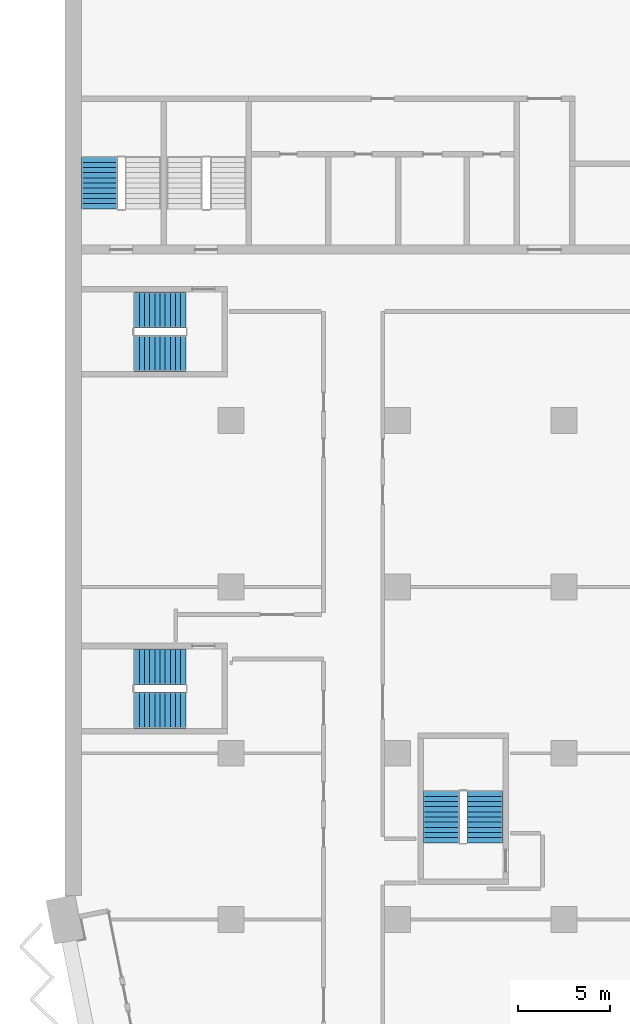
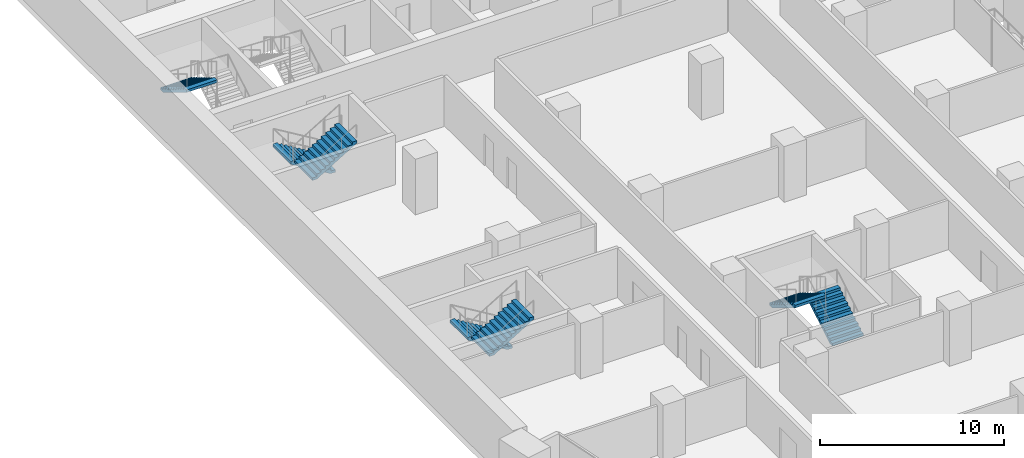
# One storey, part 19 of 28: 7 stair flights, 4 elements without a shape of their own.
"""IFC4 building model written with IfcOpenShell, lengths in metres."""

from ifc_helpers import new_model, si_unit, direction, frame, origin, place, context, subcontext, project, spatial, polyline, outline, extrude, material, type_object, element, aggregate, save


model = new_model("IFC4")

# Units and contexts
model_context = context("Model", 3, precision=1e-05, world=origin(), true_north=direction((0.0, 1.0)))
body_context = subcontext(model_context, "Body", "Model", "MODEL_VIEW")
ifc_project = project(units=[si_unit("LENGTHUNIT", "METRE"), si_unit("AREAUNIT", "SQUARE_METRE"), si_unit("VOLUMEUNIT", "CUBIC_METRE"), si_unit("PLANEANGLEUNIT", "RADIAN"), si_unit("MASSUNIT", "GRAM", prefix="KILO")], contexts=[model_context])

# Site, building, storey
site_placement = place(None, origin())
site = spatial("IfcSite", under=ifc_project, at=site_placement, CompositionType="ELEMENT")
building_placement = place(site_placement, origin())
building = spatial("IfcBuilding", under=site, at=building_placement, Name="Hunhe Ridgeline Campus", CompositionType="ELEMENT")
storey_placement = place(building_placement, frame((0.0, 0.0, 39.5)))
storey = spatial("IfcBuildingStorey", under=building, at=storey_placement, Name="L08", CompositionType="ELEMENT", Elevation=39.5)

# Stair, stair flight
ifc_material = material(Name="Concrete C40", Category="concrete")
stair_type = type_object("IfcStairType", Name="Reinforced concrete dog-leg stair 1950 Concrete C40", PredefinedType="HALF_TURN_STAIR", material=ifc_material)
stair_1_placement = place(storey_placement, origin())
stair_1 = element("IfcStair", 1, at=stair_1_placement, inside=storey, type_object=stair_type, Name="L08 S3", PredefinedType="HALF_TURN_STAIR")
stair_flight_type = type_object("IfcStairFlightType", Name="Reinforced concrete stair flight 1950 Concrete C40", PredefinedType="STRAIGHT", material=ifc_material)
stair_flight_1_placement = place(storey_placement, frame((1.875, 68.25, 1.85009765625), z_axis=(0.0, 0.0, 1.0), x_axis=(0.0, -1.0, 0.0)))
stair_flight_1 = element("IfcStairFlight", 2, at=stair_flight_1_placement, type_object=stair_flight_type, Name="ST3 flight 2", NumberOfRisers=11, NumberOfTreads=10, PredefinedType="STRAIGHT", RiserHeight=0.168181818, TreadLength=0.28, context=body_context, shape_type="SweptSolid", body=[
    extrude(outline(polyline([(0.0, 0.0), (0.0, 0.168212890625), (0.280029296875, 0.168212890625), (0.280029296875, 0.33642578125), (0.56005859375, 0.33642578125), (0.56005859375, 0.504638671875), (0.840087890625, 0.504638671875), (0.840087890625, 0.672607421875), (1.1201171875, 0.672607421875), (1.1201171875, 0.8408203125), (1.39990234375, 0.8408203125), (1.39990234375, 1.009033203125), (1.679931640625, 1.009033203125), (1.679931640625, 1.17724609375), (1.9599609375, 1.17724609375), (1.9599609375, 1.345458984375), (2.239990234375, 1.345458984375), (2.239990234375, 1.513671875), (2.52001953125, 1.513671875), (2.52001953125, 1.681884765625), (2.800048828125, 1.681884765625), (2.800048828125, 1.85009765625), (2.800048828125, 1.5068359375), (0.291015625, 0.0), (0.0, 0.0)])), frame((0.0, 0.97509765625, 0.0), z_axis=(0.0, -1.0, 0.0), x_axis=(1.0, 0.0, 0.0)), (0.0, 0.0, 1.0), 1.949951171875),
    extrude(outline(polyline([(0.030029296875, 0.030029296875), (0.030029296875, 0.13818359375), (0.31005859375, 0.13818359375), (0.31005859375, 0.306396484375), (0.590087890625, 0.306396484375), (0.590087890625, 0.474609375), (0.8701171875, 0.474609375), (0.8701171875, 0.642578125), (1.14990234375, 0.642578125), (1.14990234375, 0.810791015625), (1.429931640625, 0.810791015625), (1.429931640625, 0.97900390625), (1.7099609375, 0.97900390625), (1.7099609375, 1.147216796875), (1.989990234375, 1.147216796875), (1.989990234375, 1.3154296875), (2.27001953125, 1.3154296875), (2.27001953125, 1.483642578125), (2.550048828125, 1.483642578125), (2.550048828125, 1.65185546875), (2.77001953125, 1.65185546875), (2.77001953125, 1.52392578125), (0.28271484375, 0.030029296875), (0.030029296875, 0.030029296875)])), frame((0.0, -0.070068359375, 0.0), z_axis=(0.0, -1.0, 0.0), x_axis=(1.0, 0.0, 0.0)), (0.0, 0.0, 1.0), 0.019775390625),
    extrude(outline(polyline([(0.030029296875, 0.030029296875), (0.030029296875, 0.13818359375), (0.31005859375, 0.13818359375), (0.31005859375, 0.306396484375), (0.590087890625, 0.306396484375), (0.590087890625, 0.474609375), (0.8701171875, 0.474609375), (0.8701171875, 0.642578125), (1.14990234375, 0.642578125), (1.14990234375, 0.810791015625), (1.429931640625, 0.810791015625), (1.429931640625, 0.97900390625), (1.7099609375, 0.97900390625), (1.7099609375, 1.147216796875), (1.989990234375, 1.147216796875), (1.989990234375, 1.3154296875), (2.27001953125, 1.3154296875), (2.27001953125, 1.483642578125), (2.550048828125, 1.483642578125), (2.550048828125, 1.65185546875), (2.77001953125, 1.65185546875), (2.77001953125, 1.52392578125), (0.28271484375, 0.030029296875), (0.030029296875, 0.030029296875)])), frame((0.0, 0.010009765625, 0.0), z_axis=(0.0, -1.0, 0.0), x_axis=(1.0, 0.0, 0.0)), (0.0, 0.0, 1.0), 0.019775390625),
    extrude(outline(polyline([(0.030029296875, 0.030029296875), (0.030029296875, 0.13818359375), (0.31005859375, 0.13818359375), (0.31005859375, 0.306396484375), (0.590087890625, 0.306396484375), (0.590087890625, 0.474609375), (0.8701171875, 0.474609375), (0.8701171875, 0.642578125), (1.14990234375, 0.642578125), (1.14990234375, 0.810791015625), (1.429931640625, 0.810791015625), (1.429931640625, 0.97900390625), (1.7099609375, 0.97900390625), (1.7099609375, 1.147216796875), (1.989990234375, 1.147216796875), (1.989990234375, 1.3154296875), (2.27001953125, 1.3154296875), (2.27001953125, 1.483642578125), (2.550048828125, 1.483642578125), (2.550048828125, 1.65185546875), (2.77001953125, 1.65185546875), (2.77001953125, 1.52392578125), (0.28271484375, 0.030029296875), (0.030029296875, 0.030029296875)])), frame((0.0, 0.090087890625, 0.0), z_axis=(0.0, -1.0, 0.0), x_axis=(1.0, 0.0, 0.0)), (0.0, 0.0, 1.0), 0.019775390625),
])
aggregate(stair_1, [stair_flight_1])

# Stair, stair flights
stair_2_placement = place(storey_placement, origin())
stair_2 = element("IfcStair", 3, at=stair_2_placement, inside=storey, type_object=stair_type, Name="L08 W3", PredefinedType="HALF_TURN_STAIR")
stair_flight_2_placement = place(storey_placement, frame((22.72509765625, 31.14990234375, 0.0), z_axis=(0.0, 0.0, 1.0), x_axis=(0.0, 1.0, 0.0)))
stair_flight_2 = element("IfcStairFlight", 4, at=stair_flight_2_placement, type_object=stair_flight_type, Name="ST9 flight 1", NumberOfRisers=11, NumberOfTreads=10, PredefinedType="STRAIGHT", RiserHeight=0.168181818, TreadLength=0.28, context=body_context, shape_type="SweptSolid", body=[
    extrude(outline(polyline([(0.0, 0.0), (0.0, 0.168212890625), (0.280029296875, 0.168212890625), (0.280029296875, 0.33642578125), (0.56005859375, 0.33642578125), (0.56005859375, 0.504638671875), (0.840087890625, 0.504638671875), (0.840087890625, 0.672607421875), (1.1201171875, 0.672607421875), (1.1201171875, 0.8408203125), (1.39990234375, 0.8408203125), (1.39990234375, 1.009033203125), (1.679931640625, 1.009033203125), (1.679931640625, 1.17724609375), (1.9599609375, 1.17724609375), (1.9599609375, 1.345458984375), (2.239990234375, 1.345458984375), (2.239990234375, 1.513671875), (2.52001953125, 1.513671875), (2.52001953125, 1.681884765625), (2.800048828125, 1.681884765625), (2.800048828125, 1.85009765625), (2.800048828125, 1.5068359375), (0.291015625, 0.0), (0.0, 0.0)])), frame((0.0, 0.97509765625, 0.0), z_axis=(0.0, -1.0, 0.0), x_axis=(1.0, 0.0, 0.0)), (0.0, 0.0, 1.0), 1.949951171875),
    extrude(outline(polyline([(0.030029296875, 0.030029296875), (0.030029296875, 0.13818359375), (0.31005859375, 0.13818359375), (0.31005859375, 0.306396484375), (0.590087890625, 0.306396484375), (0.590087890625, 0.474609375), (0.8701171875, 0.474609375), (0.8701171875, 0.642578125), (1.14990234375, 0.642578125), (1.14990234375, 0.810791015625), (1.429931640625, 0.810791015625), (1.429931640625, 0.97900390625), (1.7099609375, 0.97900390625), (1.7099609375, 1.147216796875), (1.989990234375, 1.147216796875), (1.989990234375, 1.3154296875), (2.27001953125, 1.3154296875), (2.27001953125, 1.483642578125), (2.550048828125, 1.483642578125), (2.550048828125, 1.65185546875), (2.77001953125, 1.65185546875), (2.77001953125, 1.52392578125), (0.28271484375, 0.030029296875), (0.030029296875, 0.030029296875)])), frame((0.0, -0.070068359375, 0.0), z_axis=(0.0, -1.0, 0.0), x_axis=(1.0, 0.0, 0.0)), (0.0, 0.0, 1.0), 0.019775390625),
    extrude(outline(polyline([(0.030029296875, 0.030029296875), (0.030029296875, 0.13818359375), (0.31005859375, 0.13818359375), (0.31005859375, 0.306396484375), (0.590087890625, 0.306396484375), (0.590087890625, 0.474609375), (0.8701171875, 0.474609375), (0.8701171875, 0.642578125), (1.14990234375, 0.642578125), (1.14990234375, 0.810791015625), (1.429931640625, 0.810791015625), (1.429931640625, 0.97900390625), (1.7099609375, 0.97900390625), (1.7099609375, 1.147216796875), (1.989990234375, 1.147216796875), (1.989990234375, 1.3154296875), (2.27001953125, 1.3154296875), (2.27001953125, 1.483642578125), (2.550048828125, 1.483642578125), (2.550048828125, 1.65185546875), (2.77001953125, 1.65185546875), (2.77001953125, 1.52392578125), (0.28271484375, 0.030029296875), (0.030029296875, 0.030029296875)])), frame((0.0, 0.010009765625, 0.0), z_axis=(0.0, -1.0, 0.0), x_axis=(1.0, 0.0, 0.0)), (0.0, 0.0, 1.0), 0.019775390625),
    extrude(outline(polyline([(0.030029296875, 0.030029296875), (0.030029296875, 0.13818359375), (0.31005859375, 0.13818359375), (0.31005859375, 0.306396484375), (0.590087890625, 0.306396484375), (0.590087890625, 0.474609375), (0.8701171875, 0.474609375), (0.8701171875, 0.642578125), (1.14990234375, 0.642578125), (1.14990234375, 0.810791015625), (1.429931640625, 0.810791015625), (1.429931640625, 0.97900390625), (1.7099609375, 0.97900390625), (1.7099609375, 1.147216796875), (1.989990234375, 1.147216796875), (1.989990234375, 1.3154296875), (2.27001953125, 1.3154296875), (2.27001953125, 1.483642578125), (2.550048828125, 1.483642578125), (2.550048828125, 1.65185546875), (2.77001953125, 1.65185546875), (2.77001953125, 1.52392578125), (0.28271484375, 0.030029296875), (0.030029296875, 0.030029296875)])), frame((0.0, 0.090087890625, 0.0), z_axis=(0.0, -1.0, 0.0), x_axis=(1.0, 0.0, 0.0)), (0.0, 0.0, 1.0), 0.019775390625),
])
stair_flight_3_placement = place(storey_placement, frame((20.375, 33.949951171875, 1.85009765625), z_axis=(0.0, 0.0, 1.0), x_axis=(0.0, -1.0, 0.0)))
stair_flight_3 = element("IfcStairFlight", 5, at=stair_flight_3_placement, type_object=stair_flight_type, Name="ST9 flight 2", NumberOfRisers=11, NumberOfTreads=10, PredefinedType="STRAIGHT", RiserHeight=0.168181818, TreadLength=0.28, context=body_context, shape_type="SweptSolid", body=[
    extrude(outline(polyline([(0.0, 0.0), (0.0, 0.168212890625), (0.280029296875, 0.168212890625), (0.280029296875, 0.33642578125), (0.56005859375, 0.33642578125), (0.56005859375, 0.504638671875), (0.840087890625, 0.504638671875), (0.840087890625, 0.672607421875), (1.1201171875, 0.672607421875), (1.1201171875, 0.8408203125), (1.39990234375, 0.8408203125), (1.39990234375, 1.009033203125), (1.679931640625, 1.009033203125), (1.679931640625, 1.17724609375), (1.9599609375, 1.17724609375), (1.9599609375, 1.345458984375), (2.239990234375, 1.345458984375), (2.239990234375, 1.513671875), (2.52001953125, 1.513671875), (2.52001953125, 1.681884765625), (2.800048828125, 1.681884765625), (2.800048828125, 1.85009765625), (2.800048828125, 1.5068359375), (0.291015625, 0.0), (0.0, 0.0)])), frame((0.0, 0.97509765625, 0.0), z_axis=(0.0, -1.0, 0.0), x_axis=(1.0, 0.0, 0.0)), (0.0, 0.0, 1.0), 1.949951171875),
    extrude(outline(polyline([(0.030029296875, 0.030029296875), (0.030029296875, 0.13818359375), (0.31005859375, 0.13818359375), (0.31005859375, 0.306396484375), (0.590087890625, 0.306396484375), (0.590087890625, 0.474609375), (0.8701171875, 0.474609375), (0.8701171875, 0.642578125), (1.14990234375, 0.642578125), (1.14990234375, 0.810791015625), (1.429931640625, 0.810791015625), (1.429931640625, 0.97900390625), (1.7099609375, 0.97900390625), (1.7099609375, 1.147216796875), (1.989990234375, 1.147216796875), (1.989990234375, 1.3154296875), (2.27001953125, 1.3154296875), (2.27001953125, 1.483642578125), (2.550048828125, 1.483642578125), (2.550048828125, 1.65185546875), (2.77001953125, 1.65185546875), (2.77001953125, 1.52392578125), (0.28271484375, 0.030029296875), (0.030029296875, 0.030029296875)])), frame((0.0, -0.070068359375, 0.0), z_axis=(0.0, -1.0, 0.0), x_axis=(1.0, 0.0, 0.0)), (0.0, 0.0, 1.0), 0.019775390625),
    extrude(outline(polyline([(0.030029296875, 0.030029296875), (0.030029296875, 0.13818359375), (0.31005859375, 0.13818359375), (0.31005859375, 0.306396484375), (0.590087890625, 0.306396484375), (0.590087890625, 0.474609375), (0.8701171875, 0.474609375), (0.8701171875, 0.642578125), (1.14990234375, 0.642578125), (1.14990234375, 0.810791015625), (1.429931640625, 0.810791015625), (1.429931640625, 0.97900390625), (1.7099609375, 0.97900390625), (1.7099609375, 1.147216796875), (1.989990234375, 1.147216796875), (1.989990234375, 1.3154296875), (2.27001953125, 1.3154296875), (2.27001953125, 1.483642578125), (2.550048828125, 1.483642578125), (2.550048828125, 1.65185546875), (2.77001953125, 1.65185546875), (2.77001953125, 1.52392578125), (0.28271484375, 0.030029296875), (0.030029296875, 0.030029296875)])), frame((0.0, 0.010009765625, 0.0), z_axis=(0.0, -1.0, 0.0), x_axis=(1.0, 0.0, 0.0)), (0.0, 0.0, 1.0), 0.019775390625),
    extrude(outline(polyline([(0.030029296875, 0.030029296875), (0.030029296875, 0.13818359375), (0.31005859375, 0.13818359375), (0.31005859375, 0.306396484375), (0.590087890625, 0.306396484375), (0.590087890625, 0.474609375), (0.8701171875, 0.474609375), (0.8701171875, 0.642578125), (1.14990234375, 0.642578125), (1.14990234375, 0.810791015625), (1.429931640625, 0.810791015625), (1.429931640625, 0.97900390625), (1.7099609375, 0.97900390625), (1.7099609375, 1.147216796875), (1.989990234375, 1.147216796875), (1.989990234375, 1.3154296875), (2.27001953125, 1.3154296875), (2.27001953125, 1.483642578125), (2.550048828125, 1.483642578125), (2.550048828125, 1.65185546875), (2.77001953125, 1.65185546875), (2.77001953125, 1.52392578125), (0.28271484375, 0.030029296875), (0.030029296875, 0.030029296875)])), frame((0.0, 0.090087890625, 0.0), z_axis=(0.0, -1.0, 0.0), x_axis=(1.0, 0.0, 0.0)), (0.0, 0.0, 1.0), 0.019775390625),
])
aggregate(stair_2, [stair_flight_2, stair_flight_3])

stair_3_placement = place(storey_placement, origin())
stair_3 = element("IfcStair", 6, at=stair_3_placement, inside=storey, type_object=stair_type, Name="L08 W1", PredefinedType="HALF_TURN_STAIR")
stair_flight_4_placement = place(storey_placement, frame((6.550048828125, 40.675048828125, 0.0), z_axis=(0.0, 0.0, 1.0), x_axis=(-1.0, 0.0, 0.0)))
stair_flight_4 = element("IfcStairFlight", 7, at=stair_flight_4_placement, type_object=stair_flight_type, Name="ST11 flight 1", NumberOfRisers=11, NumberOfTreads=10, PredefinedType="STRAIGHT", RiserHeight=0.168181818, TreadLength=0.28, context=body_context, shape_type="SweptSolid", body=[
    extrude(outline(polyline([(0.0, 0.0), (0.0, 0.168212890625), (0.280029296875, 0.168212890625), (0.280029296875, 0.33642578125), (0.56005859375, 0.33642578125), (0.56005859375, 0.504638671875), (0.840087890625, 0.504638671875), (0.840087890625, 0.672607421875), (1.1201171875, 0.672607421875), (1.1201171875, 0.8408203125), (1.39990234375, 0.8408203125), (1.39990234375, 1.009033203125), (1.679931640625, 1.009033203125), (1.679931640625, 1.17724609375), (1.9599609375, 1.17724609375), (1.9599609375, 1.345458984375), (2.239990234375, 1.345458984375), (2.239990234375, 1.513671875), (2.52001953125, 1.513671875), (2.52001953125, 1.681884765625), (2.800048828125, 1.681884765625), (2.800048828125, 1.85009765625), (2.800048828125, 1.5068359375), (0.291015625, 0.0), (0.0, 0.0)])), frame((0.0, 0.97509765625, 0.0), z_axis=(0.0, -1.0, 0.0), x_axis=(1.0, 0.0, 0.0)), (0.0, 0.0, 1.0), 1.949951171875),
    extrude(outline(polyline([(0.030029296875, 0.030029296875), (0.030029296875, 0.13818359375), (0.31005859375, 0.13818359375), (0.31005859375, 0.306396484375), (0.590087890625, 0.306396484375), (0.590087890625, 0.474609375), (0.8701171875, 0.474609375), (0.8701171875, 0.642578125), (1.14990234375, 0.642578125), (1.14990234375, 0.810791015625), (1.429931640625, 0.810791015625), (1.429931640625, 0.97900390625), (1.7099609375, 0.97900390625), (1.7099609375, 1.147216796875), (1.989990234375, 1.147216796875), (1.989990234375, 1.3154296875), (2.27001953125, 1.3154296875), (2.27001953125, 1.483642578125), (2.550048828125, 1.483642578125), (2.550048828125, 1.65185546875), (2.77001953125, 1.65185546875), (2.77001953125, 1.52392578125), (0.28271484375, 0.030029296875), (0.030029296875, 0.030029296875)])), frame((0.0, -0.070068359375, 0.0), z_axis=(0.0, -1.0, 0.0), x_axis=(1.0, 0.0, 0.0)), (0.0, 0.0, 1.0), 0.019775390625),
    extrude(outline(polyline([(0.030029296875, 0.030029296875), (0.030029296875, 0.13818359375), (0.31005859375, 0.13818359375), (0.31005859375, 0.306396484375), (0.590087890625, 0.306396484375), (0.590087890625, 0.474609375), (0.8701171875, 0.474609375), (0.8701171875, 0.642578125), (1.14990234375, 0.642578125), (1.14990234375, 0.810791015625), (1.429931640625, 0.810791015625), (1.429931640625, 0.97900390625), (1.7099609375, 0.97900390625), (1.7099609375, 1.147216796875), (1.989990234375, 1.147216796875), (1.989990234375, 1.3154296875), (2.27001953125, 1.3154296875), (2.27001953125, 1.483642578125), (2.550048828125, 1.483642578125), (2.550048828125, 1.65185546875), (2.77001953125, 1.65185546875), (2.77001953125, 1.52392578125), (0.28271484375, 0.030029296875), (0.030029296875, 0.030029296875)])), frame((0.0, 0.010009765625, 0.0), z_axis=(0.0, -1.0, 0.0), x_axis=(1.0, 0.0, 0.0)), (0.0, 0.0, 1.0), 0.019775390625),
    extrude(outline(polyline([(0.030029296875, 0.030029296875), (0.030029296875, 0.13818359375), (0.31005859375, 0.13818359375), (0.31005859375, 0.306396484375), (0.590087890625, 0.306396484375), (0.590087890625, 0.474609375), (0.8701171875, 0.474609375), (0.8701171875, 0.642578125), (1.14990234375, 0.642578125), (1.14990234375, 0.810791015625), (1.429931640625, 0.810791015625), (1.429931640625, 0.97900390625), (1.7099609375, 0.97900390625), (1.7099609375, 1.147216796875), (1.989990234375, 1.147216796875), (1.989990234375, 1.3154296875), (2.27001953125, 1.3154296875), (2.27001953125, 1.483642578125), (2.550048828125, 1.483642578125), (2.550048828125, 1.65185546875), (2.77001953125, 1.65185546875), (2.77001953125, 1.52392578125), (0.28271484375, 0.030029296875), (0.030029296875, 0.030029296875)])), frame((0.0, 0.090087890625, 0.0), z_axis=(0.0, -1.0, 0.0), x_axis=(1.0, 0.0, 0.0)), (0.0, 0.0, 1.0), 0.019775390625),
])
stair_flight_5_placement = place(storey_placement, frame((3.75, 38.324951171875, 1.85009765625), z_axis=(0.0, 0.0, 1.0), x_axis=(1.0, 0.0, 0.0)))
stair_flight_5 = element("IfcStairFlight", 8, at=stair_flight_5_placement, type_object=stair_flight_type, Name="ST11 flight 2", NumberOfRisers=11, NumberOfTreads=10, PredefinedType="STRAIGHT", RiserHeight=0.168181818, TreadLength=0.28, context=body_context, shape_type="SweptSolid", body=[
    extrude(outline(polyline([(0.0, 0.0), (0.0, 0.168212890625), (0.280029296875, 0.168212890625), (0.280029296875, 0.33642578125), (0.56005859375, 0.33642578125), (0.56005859375, 0.504638671875), (0.840087890625, 0.504638671875), (0.840087890625, 0.672607421875), (1.1201171875, 0.672607421875), (1.1201171875, 0.8408203125), (1.39990234375, 0.8408203125), (1.39990234375, 1.009033203125), (1.679931640625, 1.009033203125), (1.679931640625, 1.17724609375), (1.9599609375, 1.17724609375), (1.9599609375, 1.345458984375), (2.239990234375, 1.345458984375), (2.239990234375, 1.513671875), (2.52001953125, 1.513671875), (2.52001953125, 1.681884765625), (2.800048828125, 1.681884765625), (2.800048828125, 1.85009765625), (2.800048828125, 1.5068359375), (0.291015625, 0.0), (0.0, 0.0)])), frame((0.0, 0.97509765625, 0.0), z_axis=(0.0, -1.0, 0.0), x_axis=(1.0, 0.0, 0.0)), (0.0, 0.0, 1.0), 1.949951171875),
    extrude(outline(polyline([(0.030029296875, 0.030029296875), (0.030029296875, 0.13818359375), (0.31005859375, 0.13818359375), (0.31005859375, 0.306396484375), (0.590087890625, 0.306396484375), (0.590087890625, 0.474609375), (0.8701171875, 0.474609375), (0.8701171875, 0.642578125), (1.14990234375, 0.642578125), (1.14990234375, 0.810791015625), (1.429931640625, 0.810791015625), (1.429931640625, 0.97900390625), (1.7099609375, 0.97900390625), (1.7099609375, 1.147216796875), (1.989990234375, 1.147216796875), (1.989990234375, 1.3154296875), (2.27001953125, 1.3154296875), (2.27001953125, 1.483642578125), (2.550048828125, 1.483642578125), (2.550048828125, 1.65185546875), (2.77001953125, 1.65185546875), (2.77001953125, 1.52392578125), (0.28271484375, 0.030029296875), (0.030029296875, 0.030029296875)])), frame((0.0, -0.070068359375, 0.0), z_axis=(0.0, -1.0, 0.0), x_axis=(1.0, 0.0, 0.0)), (0.0, 0.0, 1.0), 0.019775390625),
    extrude(outline(polyline([(0.030029296875, 0.030029296875), (0.030029296875, 0.13818359375), (0.31005859375, 0.13818359375), (0.31005859375, 0.306396484375), (0.590087890625, 0.306396484375), (0.590087890625, 0.474609375), (0.8701171875, 0.474609375), (0.8701171875, 0.642578125), (1.14990234375, 0.642578125), (1.14990234375, 0.810791015625), (1.429931640625, 0.810791015625), (1.429931640625, 0.97900390625), (1.7099609375, 0.97900390625), (1.7099609375, 1.147216796875), (1.989990234375, 1.147216796875), (1.989990234375, 1.3154296875), (2.27001953125, 1.3154296875), (2.27001953125, 1.483642578125), (2.550048828125, 1.483642578125), (2.550048828125, 1.65185546875), (2.77001953125, 1.65185546875), (2.77001953125, 1.52392578125), (0.28271484375, 0.030029296875), (0.030029296875, 0.030029296875)])), frame((0.0, 0.010009765625, 0.0), z_axis=(0.0, -1.0, 0.0), x_axis=(1.0, 0.0, 0.0)), (0.0, 0.0, 1.0), 0.019775390625),
    extrude(outline(polyline([(0.030029296875, 0.030029296875), (0.030029296875, 0.13818359375), (0.31005859375, 0.13818359375), (0.31005859375, 0.306396484375), (0.590087890625, 0.306396484375), (0.590087890625, 0.474609375), (0.8701171875, 0.474609375), (0.8701171875, 0.642578125), (1.14990234375, 0.642578125), (1.14990234375, 0.810791015625), (1.429931640625, 0.810791015625), (1.429931640625, 0.97900390625), (1.7099609375, 0.97900390625), (1.7099609375, 1.147216796875), (1.989990234375, 1.147216796875), (1.989990234375, 1.3154296875), (2.27001953125, 1.3154296875), (2.27001953125, 1.483642578125), (2.550048828125, 1.483642578125), (2.550048828125, 1.65185546875), (2.77001953125, 1.65185546875), (2.77001953125, 1.52392578125), (0.28271484375, 0.030029296875), (0.030029296875, 0.030029296875)])), frame((0.0, 0.090087890625, 0.0), z_axis=(0.0, -1.0, 0.0), x_axis=(1.0, 0.0, 0.0)), (0.0, 0.0, 1.0), 0.019775390625),
])
aggregate(stair_3, [stair_flight_4, stair_flight_5])

stair_4_placement = place(storey_placement, origin())
stair_4 = element("IfcStair", 9, at=stair_4_placement, inside=storey, type_object=stair_type, Name="L08 W2", PredefinedType="HALF_TURN_STAIR")
stair_flight_6_placement = place(storey_placement, frame((6.550048828125, 59.97509765625, 0.0), z_axis=(0.0, 0.0, 1.0), x_axis=(-1.0, 0.0, 0.0)))
stair_flight_6 = element("IfcStairFlight", 10, at=stair_flight_6_placement, type_object=stair_flight_type, Name="ST12 flight 1", NumberOfRisers=11, NumberOfTreads=10, PredefinedType="STRAIGHT", RiserHeight=0.168181818, TreadLength=0.28, context=body_context, shape_type="SweptSolid", body=[
    extrude(outline(polyline([(0.0, 0.0), (0.0, 0.168212890625), (0.280029296875, 0.168212890625), (0.280029296875, 0.33642578125), (0.56005859375, 0.33642578125), (0.56005859375, 0.504638671875), (0.840087890625, 0.504638671875), (0.840087890625, 0.672607421875), (1.1201171875, 0.672607421875), (1.1201171875, 0.8408203125), (1.39990234375, 0.8408203125), (1.39990234375, 1.009033203125), (1.679931640625, 1.009033203125), (1.679931640625, 1.17724609375), (1.9599609375, 1.17724609375), (1.9599609375, 1.345458984375), (2.239990234375, 1.345458984375), (2.239990234375, 1.513671875), (2.52001953125, 1.513671875), (2.52001953125, 1.681884765625), (2.800048828125, 1.681884765625), (2.800048828125, 1.85009765625), (2.800048828125, 1.5068359375), (0.291015625, 0.0), (0.0, 0.0)])), frame((0.0, 0.97509765625, 0.0), z_axis=(0.0, -1.0, 0.0), x_axis=(1.0, 0.0, 0.0)), (0.0, 0.0, 1.0), 1.949951171875),
    extrude(outline(polyline([(0.030029296875, 0.030029296875), (0.030029296875, 0.13818359375), (0.31005859375, 0.13818359375), (0.31005859375, 0.306396484375), (0.590087890625, 0.306396484375), (0.590087890625, 0.474609375), (0.8701171875, 0.474609375), (0.8701171875, 0.642578125), (1.14990234375, 0.642578125), (1.14990234375, 0.810791015625), (1.429931640625, 0.810791015625), (1.429931640625, 0.97900390625), (1.7099609375, 0.97900390625), (1.7099609375, 1.147216796875), (1.989990234375, 1.147216796875), (1.989990234375, 1.3154296875), (2.27001953125, 1.3154296875), (2.27001953125, 1.483642578125), (2.550048828125, 1.483642578125), (2.550048828125, 1.65185546875), (2.77001953125, 1.65185546875), (2.77001953125, 1.52392578125), (0.28271484375, 0.030029296875), (0.030029296875, 0.030029296875)])), frame((0.0, -0.070068359375, 0.0), z_axis=(0.0, -1.0, 0.0), x_axis=(1.0, 0.0, 0.0)), (0.0, 0.0, 1.0), 0.019775390625),
    extrude(outline(polyline([(0.030029296875, 0.030029296875), (0.030029296875, 0.13818359375), (0.31005859375, 0.13818359375), (0.31005859375, 0.306396484375), (0.590087890625, 0.306396484375), (0.590087890625, 0.474609375), (0.8701171875, 0.474609375), (0.8701171875, 0.642578125), (1.14990234375, 0.642578125), (1.14990234375, 0.810791015625), (1.429931640625, 0.810791015625), (1.429931640625, 0.97900390625), (1.7099609375, 0.97900390625), (1.7099609375, 1.147216796875), (1.989990234375, 1.147216796875), (1.989990234375, 1.3154296875), (2.27001953125, 1.3154296875), (2.27001953125, 1.483642578125), (2.550048828125, 1.483642578125), (2.550048828125, 1.65185546875), (2.77001953125, 1.65185546875), (2.77001953125, 1.52392578125), (0.28271484375, 0.030029296875), (0.030029296875, 0.030029296875)])), frame((0.0, 0.010009765625, 0.0), z_axis=(0.0, -1.0, 0.0), x_axis=(1.0, 0.0, 0.0)), (0.0, 0.0, 1.0), 0.019775390625),
    extrude(outline(polyline([(0.030029296875, 0.030029296875), (0.030029296875, 0.13818359375), (0.31005859375, 0.13818359375), (0.31005859375, 0.306396484375), (0.590087890625, 0.306396484375), (0.590087890625, 0.474609375), (0.8701171875, 0.474609375), (0.8701171875, 0.642578125), (1.14990234375, 0.642578125), (1.14990234375, 0.810791015625), (1.429931640625, 0.810791015625), (1.429931640625, 0.97900390625), (1.7099609375, 0.97900390625), (1.7099609375, 1.147216796875), (1.989990234375, 1.147216796875), (1.989990234375, 1.3154296875), (2.27001953125, 1.3154296875), (2.27001953125, 1.483642578125), (2.550048828125, 1.483642578125), (2.550048828125, 1.65185546875), (2.77001953125, 1.65185546875), (2.77001953125, 1.52392578125), (0.28271484375, 0.030029296875), (0.030029296875, 0.030029296875)])), frame((0.0, 0.090087890625, 0.0), z_axis=(0.0, -1.0, 0.0), x_axis=(1.0, 0.0, 0.0)), (0.0, 0.0, 1.0), 0.019775390625),
])
stair_flight_7_placement = place(storey_placement, frame((3.75, 57.625, 1.85009765625), z_axis=(0.0, 0.0, 1.0), x_axis=(1.0, 0.0, 0.0)))
stair_flight_7 = element("IfcStairFlight", 11, at=stair_flight_7_placement, type_object=stair_flight_type, Name="ST12 flight 2", NumberOfRisers=11, NumberOfTreads=10, PredefinedType="STRAIGHT", RiserHeight=0.168181818, TreadLength=0.28, context=body_context, shape_type="SweptSolid", body=[
    extrude(outline(polyline([(0.0, 0.0), (0.0, 0.168212890625), (0.280029296875, 0.168212890625), (0.280029296875, 0.33642578125), (0.56005859375, 0.33642578125), (0.56005859375, 0.504638671875), (0.840087890625, 0.504638671875), (0.840087890625, 0.672607421875), (1.1201171875, 0.672607421875), (1.1201171875, 0.8408203125), (1.39990234375, 0.8408203125), (1.39990234375, 1.009033203125), (1.679931640625, 1.009033203125), (1.679931640625, 1.17724609375), (1.9599609375, 1.17724609375), (1.9599609375, 1.345458984375), (2.239990234375, 1.345458984375), (2.239990234375, 1.513671875), (2.52001953125, 1.513671875), (2.52001953125, 1.681884765625), (2.800048828125, 1.681884765625), (2.800048828125, 1.85009765625), (2.800048828125, 1.5068359375), (0.291015625, 0.0), (0.0, 0.0)])), frame((0.0, 0.97509765625, 0.0), z_axis=(0.0, -1.0, 0.0), x_axis=(1.0, 0.0, 0.0)), (0.0, 0.0, 1.0), 1.949951171875),
    extrude(outline(polyline([(0.030029296875, 0.030029296875), (0.030029296875, 0.13818359375), (0.31005859375, 0.13818359375), (0.31005859375, 0.306396484375), (0.590087890625, 0.306396484375), (0.590087890625, 0.474609375), (0.8701171875, 0.474609375), (0.8701171875, 0.642578125), (1.14990234375, 0.642578125), (1.14990234375, 0.810791015625), (1.429931640625, 0.810791015625), (1.429931640625, 0.97900390625), (1.7099609375, 0.97900390625), (1.7099609375, 1.147216796875), (1.989990234375, 1.147216796875), (1.989990234375, 1.3154296875), (2.27001953125, 1.3154296875), (2.27001953125, 1.483642578125), (2.550048828125, 1.483642578125), (2.550048828125, 1.65185546875), (2.77001953125, 1.65185546875), (2.77001953125, 1.52392578125), (0.28271484375, 0.030029296875), (0.030029296875, 0.030029296875)])), frame((0.0, -0.070068359375, 0.0), z_axis=(0.0, -1.0, 0.0), x_axis=(1.0, 0.0, 0.0)), (0.0, 0.0, 1.0), 0.019775390625),
    extrude(outline(polyline([(0.030029296875, 0.030029296875), (0.030029296875, 0.13818359375), (0.31005859375, 0.13818359375), (0.31005859375, 0.306396484375), (0.590087890625, 0.306396484375), (0.590087890625, 0.474609375), (0.8701171875, 0.474609375), (0.8701171875, 0.642578125), (1.14990234375, 0.642578125), (1.14990234375, 0.810791015625), (1.429931640625, 0.810791015625), (1.429931640625, 0.97900390625), (1.7099609375, 0.97900390625), (1.7099609375, 1.147216796875), (1.989990234375, 1.147216796875), (1.989990234375, 1.3154296875), (2.27001953125, 1.3154296875), (2.27001953125, 1.483642578125), (2.550048828125, 1.483642578125), (2.550048828125, 1.65185546875), (2.77001953125, 1.65185546875), (2.77001953125, 1.52392578125), (0.28271484375, 0.030029296875), (0.030029296875, 0.030029296875)])), frame((0.0, 0.010009765625, 0.0), z_axis=(0.0, -1.0, 0.0), x_axis=(1.0, 0.0, 0.0)), (0.0, 0.0, 1.0), 0.019775390625),
    extrude(outline(polyline([(0.030029296875, 0.030029296875), (0.030029296875, 0.13818359375), (0.31005859375, 0.13818359375), (0.31005859375, 0.306396484375), (0.590087890625, 0.306396484375), (0.590087890625, 0.474609375), (0.8701171875, 0.474609375), (0.8701171875, 0.642578125), (1.14990234375, 0.642578125), (1.14990234375, 0.810791015625), (1.429931640625, 0.810791015625), (1.429931640625, 0.97900390625), (1.7099609375, 0.97900390625), (1.7099609375, 1.147216796875), (1.989990234375, 1.147216796875), (1.989990234375, 1.3154296875), (2.27001953125, 1.3154296875), (2.27001953125, 1.483642578125), (2.550048828125, 1.483642578125), (2.550048828125, 1.65185546875), (2.77001953125, 1.65185546875), (2.77001953125, 1.52392578125), (0.28271484375, 0.030029296875), (0.030029296875, 0.030029296875)])), frame((0.0, 0.090087890625, 0.0), z_axis=(0.0, -1.0, 0.0), x_axis=(1.0, 0.0, 0.0)), (0.0, 0.0, 1.0), 0.019775390625),
])
aggregate(stair_4, [stair_flight_6, stair_flight_7])

save(model, "model.ifc")
